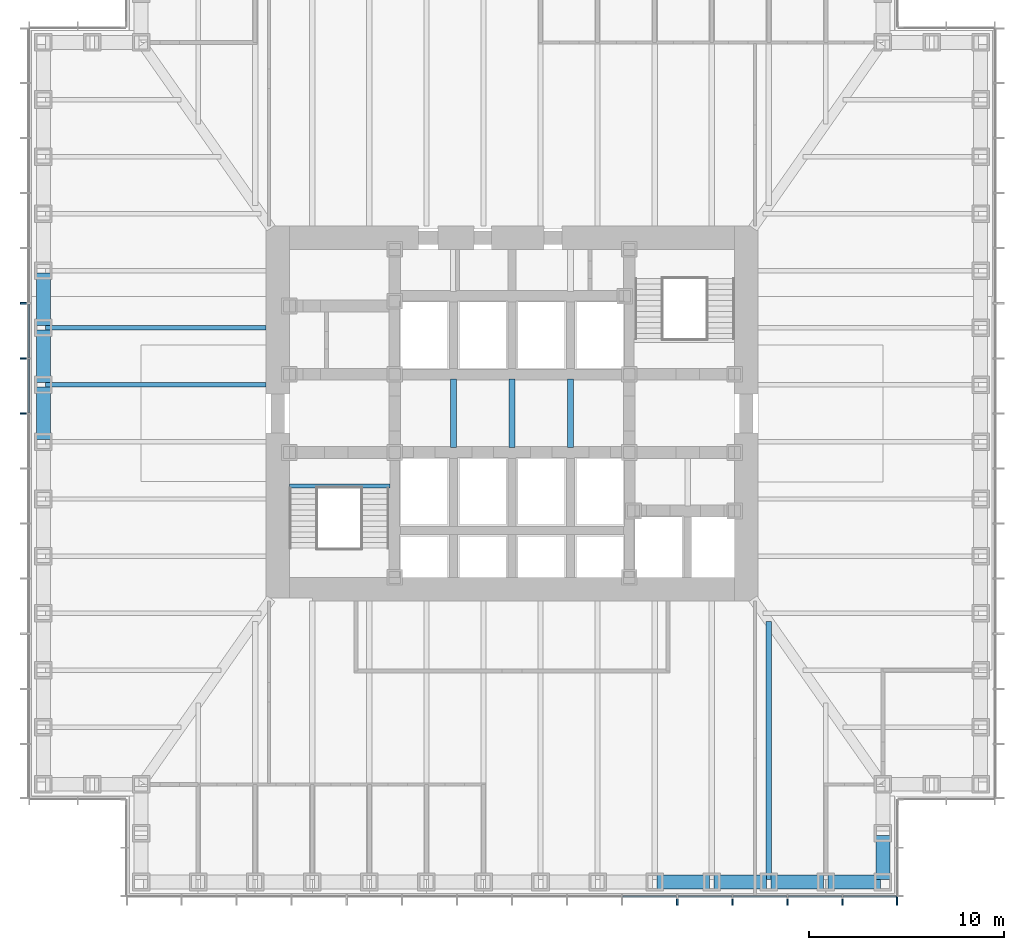
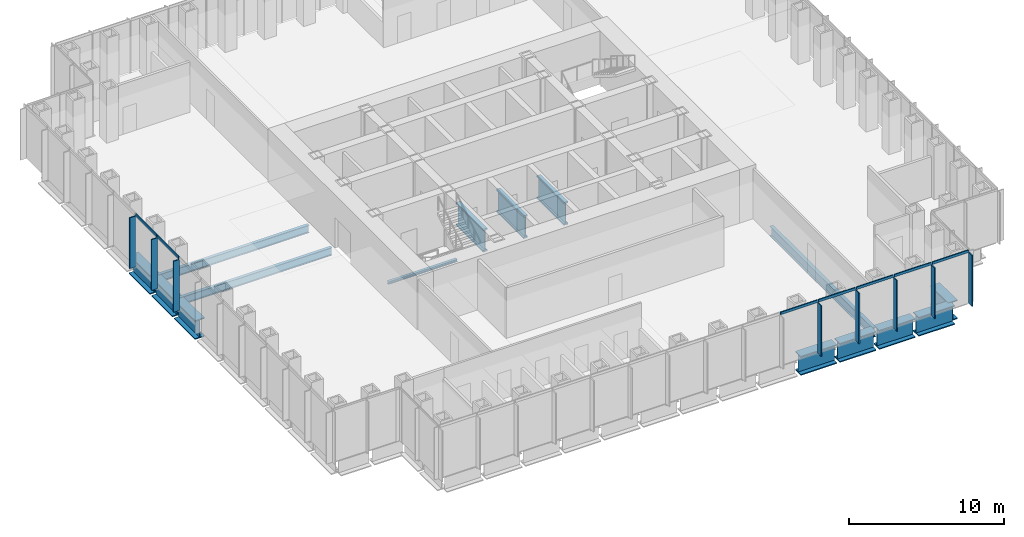
# One storey, part 3 of 17: 15 beams, 15 members, 2 elements without a shape of their own.
"""IFC4 building model written with IfcOpenShell, lengths in metres."""

import ifcopenshell
import ifcopenshell.guid

model = None  # the IFC model being written
_history = None  # IfcOwnerHistory: only IFC2X3 demands one
_inside = {}  # id of a spatial element -> (the spatial element, [elements in it])
_under = {}  # id of a project, library or spatial element -> (it, [spatial elements below it])
_declared = {}  # id of a project -> (the project, [libraries it declares])
_typed = {}  # id of a type object -> (the type object, [elements of that type])
_made_of = {}  # id of a material, layer set ... -> (it, [elements and type objects made of it])


def new_model(schema):
    """Start an empty IFC model of exactly this schema.

    Asked for "IFC4X3", IfcOpenShell would pick the latest addendum, in which some entities
    have other attributes; the version numbers below select the first issue.
    IFC2X3 requires an IfcOwnerHistory on every rooted entity: one is made here for all.
    """
    global model, _history
    if schema == "IFC4X3":
        model = ifcopenshell.file(schema_version=(4, 3, 0, 0))
    else:
        model = ifcopenshell.file(schema=schema)
    _inside.clear()
    _under.clear()
    _declared.clear()
    _typed.clear()
    _made_of.clear()
    _history = None
    if model.schema == "IFC2X3":
        org = make("IfcOrganization", Name="unknown")
        user = make(
            "IfcPersonAndOrganization",
            ThePerson=make("IfcPerson", FamilyName="unknown"),
            TheOrganization=org,
        )
        app = make(
            "IfcApplication",
            ApplicationDeveloper=org,
            Version="unknown",
            ApplicationFullName="unknown",
            ApplicationIdentifier="unknown",
        )
        _history = make(
            "IfcOwnerHistory",
            OwningUser=user,
            OwningApplication=app,
            ChangeAction="ADDED",
            CreationDate=0,
        )
    return model


def make(cls, **values):
    """One entity of the class cls with the attributes given. An attribute that is None is left unset."""
    return model.create_entity(
        cls, **{name: value for name, value in values.items() if value is not None}
    )


def rooted(cls, **values):
    """An entity with a GlobalId (a new one), such as an element, a storey or a relation."""
    return make(cls, GlobalId=ifcopenshell.guid.new(), OwnerHistory=_history, **values)


def si_unit(unit_type, name, prefix=None):
    """IfcSIUnit, for example si_unit("LENGTHUNIT", "METRE", prefix="MILLI")."""
    return make("IfcSIUnit", UnitType=unit_type, Prefix=prefix, Name=name)


def assignment(units):
    """IfcUnitAssignment: the units of a project."""
    return None if units is None else make("IfcUnitAssignment", Units=units)


def point(xyz):
    """IfcCartesianPoint."""
    return None if xyz is None else make("IfcCartesianPoint", Coordinates=xyz)


def direction(xyz):
    """IfcDirection."""
    return None if xyz is None else make("IfcDirection", DirectionRatios=xyz)


def frame(location, z_axis=None, x_axis=None):
    """IfcAxis2Placement3D, a coordinate frame: its origin and axes. An axis left out is left unset."""
    return make(
        "IfcAxis2Placement3D",
        Location=point(location),
        Axis=direction(z_axis),
        RefDirection=direction(x_axis),
    )


def frame_2d(location, x_axis=None):
    """IfcAxis2Placement2D, a coordinate frame in the plane: its origin and x axis."""
    return make(
        "IfcAxis2Placement2D", Location=point(location), RefDirection=direction(x_axis)
    )


def origin():
    """The frame at (0, 0, 0) with its axes left unset."""
    return frame((0.0, 0.0, 0.0))


def origin_2d():
    """The frame at (0, 0) in the plane with its x axis left unset."""
    return frame_2d((0.0, 0.0))


def place(relative_to, where):
    """IfcLocalPlacement: puts the frame where relative to a parent placement (None: the world)."""
    return make(
        "IfcLocalPlacement", PlacementRelTo=relative_to, RelativePlacement=where
    )


def context(
    kind, dimensions, precision=None, world=None, true_north=None, identifier=None
):
    """IfcGeometricRepresentationContext, for example the 3D "Model" context."""
    return make(
        "IfcGeometricRepresentationContext",
        ContextIdentifier=identifier,
        ContextType=kind,
        CoordinateSpaceDimension=dimensions,
        Precision=precision,
        WorldCoordinateSystem=world,
        TrueNorth=true_north,
    )


def subcontext(parent, identifier, kind, view, scale=None):
    """IfcGeometricRepresentationSubContext, for example "Body" below "Model"."""
    return make(
        "IfcGeometricRepresentationSubContext",
        ContextIdentifier=identifier,
        ContextType=kind,
        ParentContext=parent,
        TargetScale=scale,
        TargetView=view,
    )


def project(units=None, contexts=None):
    """IfcProject with its units and contexts."""
    return rooted(
        "IfcProject",
        Name="project",
        RepresentationContexts=contexts,
        UnitsInContext=assignment(units),
    )


def spatial(cls, under=None, at=None, **own):
    """A site, building, storey or space (cls), placed at a placement, below another one or the project."""
    s = rooted(cls, ObjectPlacement=at, **own)
    if under is not None:
        _under.setdefault(under.id(), (under, []))[1].append(s)
    return s


def profile(cls, at=None, kind="AREA", **sizes):
    """A parametric profile (cls). Its sizes go by their IFC names, for example OverallWidth=200.0."""
    return make(cls, ProfileType=kind, Position=at, **sizes)


def rectangle(**sizes):
    """IfcRectangleProfileDef."""
    return profile("IfcRectangleProfileDef", **sizes)


def i_section(**sizes):
    """IfcIShapeProfileDef."""
    return profile("IfcIShapeProfileDef", **sizes)


def extrude(swept, where, along, depth):
    """IfcExtrudedAreaSolid: the profile swept, set in the frame where, extruded along a direction by depth."""
    return make(
        "IfcExtrudedAreaSolid",
        SweptArea=swept,
        Position=where,
        ExtrudedDirection=direction(along),
        Depth=depth,
    )


def shape(context_of_items, identifier, shape_type, items):
    """IfcShapeRepresentation: the items that make up one representation, for example the "Body"."""
    return make(
        "IfcShapeRepresentation",
        ContextOfItems=context_of_items,
        RepresentationIdentifier=identifier,
        RepresentationType=shape_type,
        Items=items,
    )


def material(Name=None, Category=None):
    """IfcMaterial."""
    return make("IfcMaterial", Name=Name, Category=Category)


def material_profile(
    of_material, cross_section, Name=None, Category=None, Priority=None
):
    """IfcMaterialProfile: a cross section and its material."""
    return make(
        "IfcMaterialProfile",
        Name=Name,
        Material=of_material,
        Profile=cross_section,
        Priority=Priority,
        Category=Category,
    )


def profile_set(profiles, Name=None, composite=None):
    """IfcMaterialProfileSet."""
    return make(
        "IfcMaterialProfileSet",
        Name=Name,
        MaterialProfiles=profiles,
        CompositeProfile=composite,
    )


def made_of(thing, what):
    """Note that an element or type object is made of a material, layer set ...; save() writes the relation."""
    if what is not None:
        _made_of.setdefault(what.id(), (what, []))[1].append(thing)
    return thing


def type_object(cls, material=None, **own):
    """A type object (cls), such as IfcWallType, which elements share."""
    return made_of(rooted(cls, **own), material)


def element(
    cls,
    number,
    at=None,
    inside=None,
    cuts=None,
    type_object=None,
    material=None,
    context=None,
    identifier="Body",
    shape_type=None,
    held_by="IfcProductDefinitionShape",
    body=None,
    shapes=None,
    **own,
):
    """One element of the class cls, such as IfcWall. Its Tag is "e" and its number.

    at: its placement. inside: the storey or other place that contains it. cuts: it is an
    opening in that element (IfcRelVoidsElement). A single representation is given by context,
    identifier, shape_type and body (its items); several are given by shapes. held_by: the class
    of the entity that holds the representations. save() writes the other relations.
    """
    e = rooted(cls, Tag="e%d" % number, ObjectPlacement=at, **own)
    if body is not None:
        shapes = [shape(context, identifier, shape_type, body)]
    if shapes is not None:
        e.Representation = make(held_by, Representations=shapes)
    if inside is not None:
        _inside.setdefault(inside.id(), (inside, []))[1].append(e)
    if cuts is not None:
        rooted(
            "IfcRelVoidsElement", RelatingBuildingElement=cuts, RelatedOpeningElement=e
        )
    if type_object is not None:
        _typed.setdefault(type_object.id(), (type_object, []))[1].append(e)
    return made_of(e, material)


def aggregate(whole, parts):
    """IfcRelAggregates: a whole, such as a stair, and the parts it consists of."""
    return rooted("IfcRelAggregates", RelatingObject=whole, RelatedObjects=parts)


def save(model, path):
    """Write the relations noted so far, then the file.

    IfcRelAggregates (storeys below a building ...), IfcRelContainedInSpatialStructure (elements
    in a storey), IfcRelDefinesByType, IfcRelAssociatesMaterial and IfcRelDeclares: one each for
    every whole, place, type object, material and project.
    """
    for whole, parts in _under.values():
        aggregate(whole, parts)
    for where, things in _inside.values():
        rooted(
            "IfcRelContainedInSpatialStructure",
            RelatedElements=things,
            RelatingStructure=where,
        )
    for kind, things in _typed.values():
        rooted("IfcRelDefinesByType", RelatedObjects=things, RelatingType=kind)
    for what, things in _made_of.values():
        rooted("IfcRelAssociatesMaterial", RelatedObjects=things, RelatingMaterial=what)
    for by, libraries in _declared.values():
        rooted("IfcRelDeclares", RelatingContext=by, RelatedDefinitions=libraries)
    model.write(path)


model = new_model("IFC4")

# Units and contexts
model_context = context("Model", 3, precision=1e-05, world=origin(), true_north=direction((0.0, 1.0)))
body_context = subcontext(model_context, "Body", "Model", "MODEL_VIEW")
ifc_project = project(units=[si_unit("LENGTHUNIT", "METRE"), si_unit("AREAUNIT", "SQUARE_METRE"), si_unit("VOLUMEUNIT", "CUBIC_METRE"), si_unit("PLANEANGLEUNIT", "RADIAN"), si_unit("MASSUNIT", "GRAM", prefix="KILO")], contexts=[model_context])

# Site, building, storey
site_placement = place(None, origin())
site = spatial("IfcSite", under=ifc_project, at=site_placement, CompositionType="ELEMENT")
building_placement = place(site_placement, origin())
building = spatial("IfcBuilding", under=site, at=building_placement, Name="Daluyong Arena Tower", CompositionType="ELEMENT")
storey_placement = place(building_placement, frame((0.0, 0.0, 97.89990234375)))
storey = spatial("IfcBuildingStorey", under=building, at=storey_placement, Name="L21", CompositionType="ELEMENT", Elevation=97.89990234375)

# Curtain wall, members
ifc_material_1 = material(Name="Bronze anodised aluminium and glass", Category="aluminium")
curtain_wall_type = type_object("IfcCurtainWallType", Name="Curtain wall CW1", PredefinedType="USERDEFINED", material=ifc_material_1)
curtain_wall_1_placement = place(storey_placement, origin())
curtain_wall_1 = element("IfcCurtainWall", 1, at=curtain_wall_1_placement, inside=storey, type_object=curtain_wall_type, Name="curtain wall L21 S", ObjectType="UNITISED CURTAIN WALL", PredefinedType="USERDEFINED")
ifc_material_2 = material(Name="Bronze anodised aluminium fin", Category="aluminium")
ifc_material_profile_1 = material_profile(ifc_material_2, rectangle(XDim=0.449951171875, YDim=0.080078125, at=origin_2d()))
ifc_profile_set_1 = profile_set([ifc_material_profile_1], Name="Bronze anodised aluminium fin")
member_type_1 = type_object("IfcMemberType", Name="CW1 bronze fin 450x80", PredefinedType="MULLION", material=ifc_profile_set_1)
member_1_placement = place(storey_placement, frame((64.46435546875, 55.02490234375, 0.0), z_axis=(0.0, 0.0, 1.0), x_axis=(0.0, 1.0, 0.0)))
member_1 = element("IfcMember", 2, at=member_1_placement, type_object=member_type_1, Name="curtain wall L21 S fin 11", PredefinedType="MULLION", context=body_context, shape_type="SweptSolid", body=[
    extrude(rectangle(XDim=0.449951171875, YDim=0.080078125, at=origin_2d()), origin(), (0.0, 0.0, 1.0), 4.0),
])
member_2_placement = place(storey_placement, frame((67.28564453125, 55.02490234375, 0.0), z_axis=(0.0, 0.0, 1.0), x_axis=(0.0, 1.0, 0.0)))
member_2 = element("IfcMember", 3, at=member_2_placement, type_object=member_type_1, Name="curtain wall L21 S fin 12", PredefinedType="MULLION", context=body_context, shape_type="SweptSolid", body=[
    extrude(rectangle(XDim=0.449951171875, YDim=0.080078125, at=origin_2d()), origin(), (0.0, 0.0, 1.0), 4.0),
])
member_3_placement = place(storey_placement, frame((70.107177734375, 55.02490234375, 0.0), z_axis=(0.0, 0.0, 1.0), x_axis=(0.0, 1.0, 0.0)))
member_3 = element("IfcMember", 4, at=member_3_placement, type_object=member_type_1, Name="curtain wall L21 S fin 13", PredefinedType="MULLION", context=body_context, shape_type="SweptSolid", body=[
    extrude(rectangle(XDim=0.449951171875, YDim=0.080078125, at=origin_2d()), origin(), (0.0, 0.0, 1.0), 4.0),
])
member_4_placement = place(storey_placement, frame((72.928466796875, 55.02490234375, 0.0), z_axis=(0.0, 0.0, 1.0), x_axis=(0.0, 1.0, 0.0)))
member_4 = element("IfcMember", 5, at=member_4_placement, type_object=member_type_1, Name="curtain wall L21 S fin 14", PredefinedType="MULLION", context=body_context, shape_type="SweptSolid", body=[
    extrude(rectangle(XDim=0.449951171875, YDim=0.080078125, at=origin_2d()), origin(), (0.0, 0.0, 1.0), 4.0),
])
member_5_placement = place(storey_placement, frame((75.7099609375, 55.02490234375, 0.0), z_axis=(0.0, 0.0, 1.0), x_axis=(0.0, 1.0, 0.0)))
member_5 = element("IfcMember", 6, at=member_5_placement, type_object=member_type_1, Name="curtain wall L21 S fin 15", PredefinedType="MULLION", context=body_context, shape_type="SweptSolid", body=[
    extrude(rectangle(XDim=0.449951171875, YDim=0.080078125, at=origin_2d()), origin(), (0.0, 0.0, 1.0), 4.0),
])

curtain_wall_2_placement = place(storey_placement, origin())
curtain_wall_2 = element("IfcCurtainWall", 7, at=curtain_wall_2_placement, inside=storey, type_object=curtain_wall_type, Name="curtain wall L21 W", ObjectType="UNITISED CURTAIN WALL", PredefinedType="USERDEFINED")
member_6_placement = place(storey_placement, frame((31.02490234375, 85.642822265625, 0.0), z_axis=(0.0, 0.0, 1.0), x_axis=(1.0, 0.0, 0.0)))
member_6 = element("IfcMember", 8, at=member_6_placement, type_object=member_type_1, Name="curtain wall L21 W fin 6", PredefinedType="MULLION", context=body_context, shape_type="SweptSolid", body=[
    extrude(rectangle(XDim=0.449951171875, YDim=0.080078125, at=origin_2d()), origin(), (0.0, 0.0, 1.0), 4.0),
])
member_7_placement = place(storey_placement, frame((31.02490234375, 82.821533203125, 0.0), z_axis=(0.0, 0.0, 1.0), x_axis=(1.0, 0.0, 0.0)))
member_7 = element("IfcMember", 9, at=member_7_placement, type_object=member_type_1, Name="curtain wall L21 W fin 7", PredefinedType="MULLION", context=body_context, shape_type="SweptSolid", body=[
    extrude(rectangle(XDim=0.449951171875, YDim=0.080078125, at=origin_2d()), origin(), (0.0, 0.0, 1.0), 4.0),
])
member_8_placement = place(storey_placement, frame((31.02490234375, 80.0, 0.0), z_axis=(0.0, 0.0, 1.0), x_axis=(1.0, 0.0, 0.0)))
member_8 = element("IfcMember", 10, at=member_8_placement, type_object=member_type_1, Name="curtain wall L21 W fin 8", PredefinedType="MULLION", context=body_context, shape_type="SweptSolid", body=[
    extrude(rectangle(XDim=0.449951171875, YDim=0.080078125, at=origin_2d()), origin(), (0.0, 0.0, 1.0), 4.0),
])

# Member
ifc_material_3 = material(Name="Bronze anodised aluminium", Category="aluminium")
ifc_material_profile_2 = material_profile(ifc_material_3, rectangle(XDim=0.080078125, YDim=0.199951171875, at=origin_2d()))
ifc_profile_set_2 = profile_set([ifc_material_profile_2], Name="Bronze anodised aluminium")
member_type_2 = type_object("IfcMemberType", Name="CW1 stack transom 200x80", PredefinedType="USERDEFINED", material=ifc_profile_set_2)
member_9_placement = place(storey_placement, frame((61.682861328125, 55.25, 4.10009765625), z_axis=(1.0, 0.0, 0.0), x_axis=(0.0, 1.0, 0.0)))
member_9 = element("IfcMember", 11, at=member_9_placement, type_object=member_type_2, Name="curtain wall L21 S transom 10", ObjectType="TRANSOM", PredefinedType="USERDEFINED", context=body_context, shape_type="SweptSolid", body=[
    extrude(rectangle(XDim=0.080078125, YDim=0.199951171875, at=origin_2d()), origin(), (0.0, 0.0, 1.0), 2.741455078125),
])

member_10_placement = place(storey_placement, frame((64.50439453125, 55.25, 4.10009765625), z_axis=(1.0, 0.0, 0.0), x_axis=(0.0, 1.0, 0.0)))
member_10 = element("IfcMember", 12, at=member_10_placement, type_object=member_type_2, Name="curtain wall L21 S transom 11", ObjectType="TRANSOM", PredefinedType="USERDEFINED", context=body_context, shape_type="SweptSolid", body=[
    extrude(rectangle(XDim=0.080078125, YDim=0.199951171875, at=origin_2d()), origin(), (0.0, 0.0, 1.0), 2.7412109375),
])

member_11_placement = place(storey_placement, frame((67.32568359375, 55.25, 4.10009765625), z_axis=(1.0, 0.0, 0.0), x_axis=(0.0, 1.0, 0.0)))
member_11 = element("IfcMember", 13, at=member_11_placement, type_object=member_type_2, Name="curtain wall L21 S transom 12", ObjectType="TRANSOM", PredefinedType="USERDEFINED", context=body_context, shape_type="SweptSolid", body=[
    extrude(rectangle(XDim=0.080078125, YDim=0.199951171875, at=origin_2d()), origin(), (0.0, 0.0, 1.0), 2.741455078125),
])

member_12_placement = place(storey_placement, frame((70.147216796875, 55.25, 4.10009765625), z_axis=(1.0, 0.0, 0.0), x_axis=(0.0, 1.0, 0.0)))
member_12 = element("IfcMember", 14, at=member_12_placement, type_object=member_type_2, Name="curtain wall L21 S transom 13", ObjectType="TRANSOM", PredefinedType="USERDEFINED", context=body_context, shape_type="SweptSolid", body=[
    extrude(rectangle(XDim=0.080078125, YDim=0.199951171875, at=origin_2d()), origin(), (0.0, 0.0, 1.0), 2.741455078125),
])

member_13_placement = place(storey_placement, frame((72.968505859375, 55.25, 4.10009765625), z_axis=(1.0, 0.0, 0.0), x_axis=(0.0, 1.0, 0.0)))
member_13 = element("IfcMember", 15, at=member_13_placement, type_object=member_type_2, Name="curtain wall L21 S transom 14", ObjectType="TRANSOM", PredefinedType="USERDEFINED", context=body_context, shape_type="SweptSolid", body=[
    extrude(rectangle(XDim=0.080078125, YDim=0.199951171875, at=origin_2d()), origin(), (0.0, 0.0, 1.0), 2.701416015625),
])

aggregate(curtain_wall_1, [member_1, member_2, member_3, member_4, member_5, member_9, member_10, member_11, member_12, member_13])

member_14_placement = place(storey_placement, frame((31.25, 85.602783203125, 4.10009765625), z_axis=(0.0, -1.0, 0.0), x_axis=(1.0, 0.0, 0.0)))
member_14 = element("IfcMember", 16, at=member_14_placement, type_object=member_type_2, Name="curtain wall L21 W transom 6", ObjectType="TRANSOM", PredefinedType="USERDEFINED", context=body_context, shape_type="SweptSolid", body=[
    extrude(rectangle(XDim=0.080078125, YDim=0.199951171875, at=origin_2d()), origin(), (0.0, 0.0, 1.0), 2.741455078125),
])

member_15_placement = place(storey_placement, frame((31.25, 82.781494140625, 4.10009765625), z_axis=(0.0, -1.0, 0.0), x_axis=(1.0, 0.0, 0.0)))
member_15 = element("IfcMember", 17, at=member_15_placement, type_object=member_type_2, Name="curtain wall L21 W transom 7", ObjectType="TRANSOM", PredefinedType="USERDEFINED", context=body_context, shape_type="SweptSolid", body=[
    extrude(rectangle(XDim=0.080078125, YDim=0.199951171875, at=origin_2d()), origin(), (0.0, 0.0, 1.0), 2.741455078125),
])

aggregate(curtain_wall_2, [member_6, member_7, member_8, member_14, member_15])

# Beams
ifc_material_4 = material(Name="Steel ASTM A992 Grade 50", Category="steel")
ifc_material_profile_3 = material_profile(ifc_material_4, i_section(OverallWidth=0.22900390625, OverallDepth=0.612060546875, WebThickness=0.011962890625, FlangeThickness=0.01953125, at=origin_2d()))
ifc_profile_set_3 = profile_set([ifc_material_profile_3], Name="Steel ASTM A992 Grade 50")
beam_type_1 = type_object("IfcBeamType", Name="Floor beam W24X84", PredefinedType="BEAM", material=ifc_profile_set_3)
for number, where, z_axis, x_axis, name in (
    (18, (32.114990234375, 84.384521484375, -0.466064453125), (1.0, 0.0, 0.0), (0.0, 1.0, 0.0), "floor beam FB3"),
    (19, (32.114990234375, 81.46142578125, -0.466064453125), (1.0, 0.0, 0.0), (0.0, 1.0, 0.0), "floor beam FB3"),
):
    element("IfcBeam", number, at=place(storey_placement, frame(where, z_axis=z_axis, x_axis=x_axis)), inside=storey, type_object=beam_type_1, Name=name, PredefinedType="BEAM", context=body_context, shape_type="SweptSolid", body=[
        extrude(i_section(OverallWidth=0.22900390625, OverallDepth=0.612060546875, WebThickness=0.011962890625, FlangeThickness=0.01953125, at=origin_2d()), origin(), (0.0, 0.0, 1.0), 11.284912109375),
    ])
ifc_material_5 = material(Name="Steel ASTM A992 Grade 50", Category="steel")
ifc_material_profile_4 = material_profile(ifc_material_5, i_section(OverallWidth=0.2666015625, OverallDepth=0.761962890625, WebThickness=0.014404296875, FlangeThickness=0.021484375, at=origin_2d()))
ifc_profile_set_4 = profile_set([ifc_material_profile_4], Name="Steel ASTM A992 Grade 50")
beam_type_2 = type_object("IfcBeamType", Name="Floor beam W30X116", PredefinedType="BEAM", material=ifc_profile_set_4)
beam_1_placement = place(storey_placement, frame((69.15380859375, 56.114990234375, -0.541015625), z_axis=(0.0, 1.0, 0.0), x_axis=(-1.0, 0.0, 0.0)))
element("IfcBeam", 20, at=beam_1_placement, inside=storey, type_object=beam_type_2, Name="floor beam FB4", PredefinedType="BEAM", context=body_context, shape_type="SweptSolid", body=[
    extrude(i_section(OverallWidth=0.2666015625, OverallDepth=0.761962890625, WebThickness=0.014404296875, FlangeThickness=0.021484375, at=origin_2d()), origin(), (0.0, 0.0, 1.0), 13.236572265625),
])
ifc_material_6 = material(Name="Steel ASTM A588 Grade 50", Category="steel")
ifc_material_profile_5 = material_profile(ifc_material_6, i_section(OverallWidth=0.300048828125, OverallDepth=1.800048828125, WebThickness=0.05, FlangeThickness=0.12, at=origin_2d()))
ifc_profile_set_5 = profile_set([ifc_material_profile_5], Name="Steel ASTM A588 Grade 50")
beam_type_3 = type_object("IfcBeamType", Name="Lift divider beam PG1800X300", PredefinedType="BEAM", material=ifc_profile_set_5)
for number, where, z_axis, x_axis, name in (
    (21, (53.0, 78.25, -1.059814453125), (0.0, 1.0, 0.0), (-1.0, 0.0, 0.0), "lift divider beam DB3"),
    (22, (56.0, 78.25, -1.059814453125), (0.0, 1.0, 0.0), (-1.0, 0.0, 0.0), "lift divider beam DB3"),
    (23, (59.0, 78.25, -1.059814453125), (0.0, 1.0, 0.0), (-1.0, 0.0, 0.0), "lift divider beam DB3"),
):
    element("IfcBeam", number, at=place(storey_placement, frame(where, z_axis=z_axis, x_axis=x_axis)), inside=storey, type_object=beam_type_3, Name=name, PredefinedType="BEAM", context=body_context, shape_type="SweptSolid", body=[
        extrude(i_section(OverallWidth=0.300048828125, OverallDepth=1.800048828125, WebThickness=0.05, FlangeThickness=0.12, at=origin_2d()), origin(), (0.0, 0.0, 1.0), 3.5),
    ])
ifc_material_7 = material(Name="Steel ASTM A572 Grade 50", Category="steel")
ifc_material_profile_6 = material_profile(ifc_material_7, i_section(OverallWidth=0.699951171875, OverallDepth=1.5, WebThickness=0.04, FlangeThickness=0.08, at=origin_2d()))
ifc_profile_set_6 = profile_set([ifc_material_profile_6], Name="Steel ASTM A572 Grade 50")
beam_type_4 = type_object("IfcBeamType", Name="Spandrel Z1 PG1500X700", PredefinedType="SPANDREL", material=ifc_profile_set_6)
for number, where, z_axis, x_axis, name in (
    (24, (63.422607421875, 56.0, -0.909912109375), (1.0, 0.0, 0.0), (0.0, 1.0, 0.0), "spandrel z1 SB4"),
    (25, (66.345703125, 56.0, -0.909912109375), (1.0, 0.0, 0.0), (0.0, 1.0, 0.0), "spandrel z1 SB4"),
    (26, (69.268798828125, 56.0, -0.909912109375), (1.0, 0.0, 0.0), (0.0, 1.0, 0.0), "spandrel z1 SB4"),
    (27, (72.19189453125, 56.0, -0.909912109375), (1.0, 0.0, 0.0), (0.0, 1.0, 0.0), "spandrel z1 SB4"),
):
    element("IfcBeam", number, at=place(storey_placement, frame(where, z_axis=z_axis, x_axis=x_axis)), inside=storey, type_object=beam_type_4, Name=name, PredefinedType="SPANDREL", context=body_context, shape_type="SweptSolid", body=[
        extrude(i_section(OverallWidth=0.699951171875, OverallDepth=1.5, WebThickness=0.04, FlangeThickness=0.08, at=origin_2d()), origin(), (0.0, 0.0, 1.0), 2.693115234375),
    ])
beam_2_placement = place(storey_placement, frame((75.0, 56.114990234375, -0.909912109375), z_axis=(0.0, 1.0, 0.0), x_axis=(-1.0, 0.0, 0.0)))
element("IfcBeam", 28, at=beam_2_placement, inside=storey, type_object=beam_type_4, Name="spandrel z1 SB4", PredefinedType="SPANDREL", context=body_context, shape_type="SweptSolid", body=[
    extrude(i_section(OverallWidth=0.699951171875, OverallDepth=1.5, WebThickness=0.04, FlangeThickness=0.08, at=origin_2d()), origin(), (0.0, 0.0, 1.0), 2.27001953125),
])
for number, where, z_axis, x_axis, name in (
    (29, (32.0, 87.192626953125, -0.909912109375), (0.0, -1.0, 0.0), (1.0, 0.0, 0.0), "spandrel z1 SB4"),
    (30, (32.0, 84.26953125, -0.909912109375), (0.0, -1.0, 0.0), (1.0, 0.0, 0.0), "spandrel z1 SB4"),
):
    element("IfcBeam", number, at=place(storey_placement, frame(where, z_axis=z_axis, x_axis=x_axis)), inside=storey, type_object=beam_type_4, Name=name, PredefinedType="SPANDREL", context=body_context, shape_type="SweptSolid", body=[
        extrude(i_section(OverallWidth=0.699951171875, OverallDepth=1.5, WebThickness=0.04, FlangeThickness=0.08, at=origin_2d()), origin(), (0.0, 0.0, 1.0), 2.693115234375),
    ])
beam_3_placement = place(storey_placement, frame((32.0, 81.346435546875, -0.909912109375), z_axis=(0.0, -1.0, 0.0), x_axis=(1.0, 0.0, 0.0)))
element("IfcBeam", 31, at=beam_3_placement, inside=storey, type_object=beam_type_4, Name="spandrel z1 SB4", PredefinedType="SPANDREL", context=body_context, shape_type="SweptSolid", body=[
    extrude(i_section(OverallWidth=0.699951171875, OverallDepth=1.5, WebThickness=0.04, FlangeThickness=0.08, at=origin_2d()), origin(), (0.0, 0.0, 1.0), 2.69287109375),
])
ifc_material_8 = material(Name="Steel ASTM A992 Grade 50", Category="steel")
ifc_material_profile_7 = material_profile(ifc_material_8, i_section(OverallWidth=0.203125, OverallDepth=0.203125, WebThickness=0.00732421875, FlangeThickness=0.010986328125, at=origin_2d()))
ifc_profile_set_7 = profile_set([ifc_material_profile_7], Name="Steel ASTM A992 Grade 50")
beam_type_5 = type_object("IfcBeamType", Name="Stair landing beam W8X31", PredefinedType="BEAM", material=ifc_profile_set_7)
beam_4_placement = place(storey_placement, frame((44.60009765625, 76.276611328125, -0.261474609375), z_axis=(1.0, 0.0, 0.0), x_axis=(0.0, 1.0, 0.0)))
element("IfcBeam", 32, at=beam_4_placement, inside=storey, type_object=beam_type_5, Name="exit stair A landing beam", PredefinedType="BEAM", context=body_context, shape_type="SweptSolid", body=[
    extrude(i_section(OverallWidth=0.203125, OverallDepth=0.203125, WebThickness=0.00732421875, FlangeThickness=0.010986328125, at=origin_2d()), origin(), (0.0, 0.0, 1.0), 5.14990234375),
])

save(model, "model.ifc")
